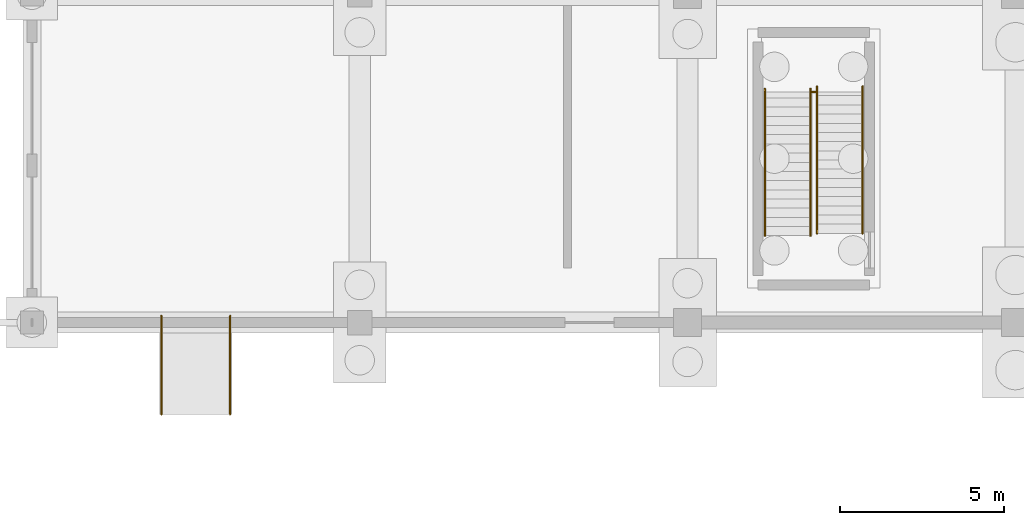
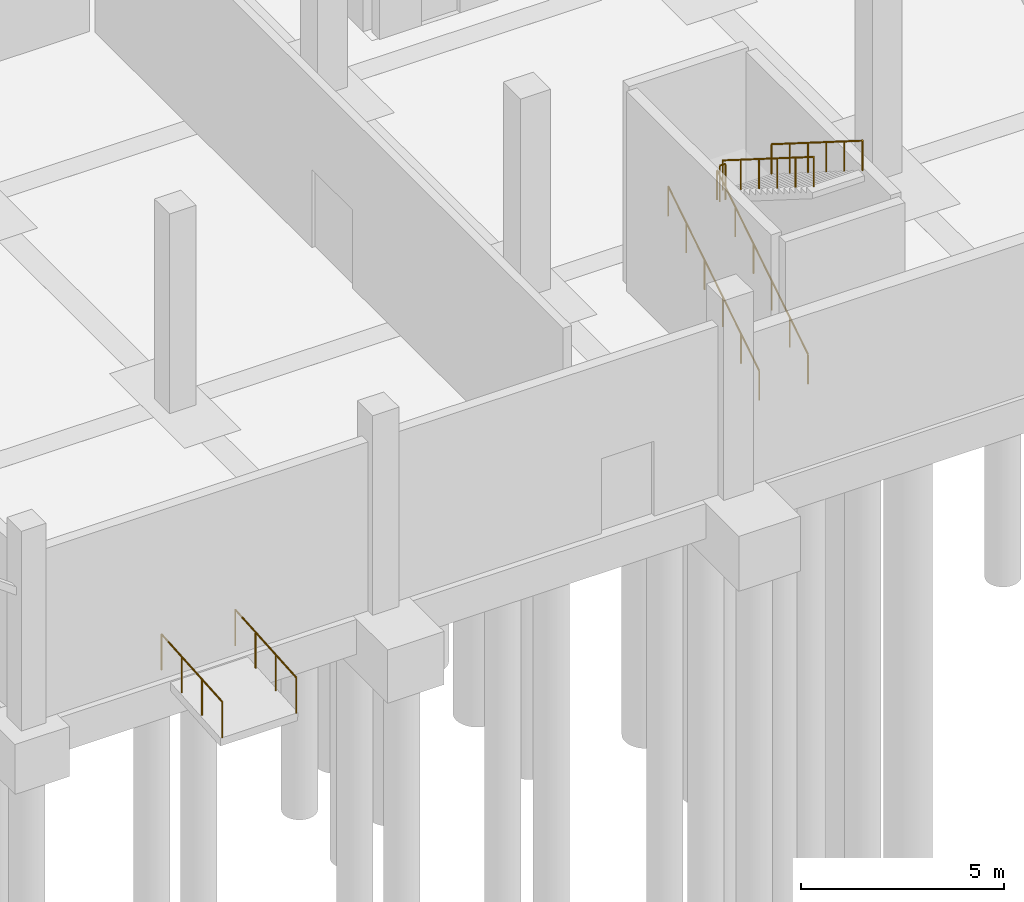
# One storey, part 110 of 140: 7 railings.
"""IFC4 building model written with IfcOpenShell, lengths in metres."""

from ifc_helpers import new_model, si_unit, direction, frame, origin, origin_2d, place, context, subcontext, project, spatial, circle, extrude, material, layer, layer_set, type_object, element, save


model = new_model("IFC4")

# Units and contexts
model_context = context("Model", 3, precision=1e-05, world=origin(), true_north=direction((0.0, 1.0)))
body_context = subcontext(model_context, "Body", "Model", "MODEL_VIEW")
ifc_project = project(units=[si_unit("LENGTHUNIT", "METRE"), si_unit("AREAUNIT", "SQUARE_METRE"), si_unit("VOLUMEUNIT", "CUBIC_METRE"), si_unit("PLANEANGLEUNIT", "RADIAN"), si_unit("MASSUNIT", "GRAM", prefix="KILO")], contexts=[model_context])

# Site, building, storey
site_placement = place(None, origin())
site = spatial("IfcSite", under=ifc_project, at=site_placement, CompositionType="ELEMENT")
building_placement = place(site_placement, origin())
building = spatial("IfcBuilding", under=site, at=building_placement, Name="Corvandel Quay Wholesale Market", CompositionType="ELEMENT")
storey_placement = place(building_placement, origin())
storey = spatial("IfcBuildingStorey", under=building, at=storey_placement, Name="L00", CompositionType="ELEMENT", Elevation=0.0)

# Railings
ifc_material_1 = material(Name="Hot-dip galvanised painted steel", Category="steel")
ifc_layer_1 = layer(ifc_material_1, 0.06005859375)
ifc_layer_set_1 = layer_set([ifc_layer_1], Name="Hot-dip galvanised painted steel")
railing_type_1 = type_object("IfcRailingType", Name="Galvanised Steel Guard Balustrade GR01 1100mm", PredefinedType="BALUSTRADE", material=ifc_layer_set_1)
for number, where, name in (
    (1, (6.050048828125, 7.199951171875, -0.219970703125), "South Dock Apron Accessible Ramp Guard GR-0060"),
    (2, (3.949951171875, 7.199951171875, -0.219970703125), "South Dock Apron Accessible Ramp Guard GR-0061"),
):
    element("IfcRailing", number, at=place(storey_placement, frame(where)), inside=storey, type_object=railing_type_1, Name=name, PredefinedType="BALUSTRADE", context=body_context, shape_type="SweptSolid", body=[
        extrude(circle(Radius=0.02392578125, at=origin_2d()), frame((0.0, 0.0, 1.076171875), z_axis=(0.0, 0.997322618282, 0.073127252529), x_axis=(-1.0, 0.0, 0.0)), (0.0, 0.0, 1.0), 3.008056640625),
        extrude(circle(Radius=0.02099609375, at=origin_2d()), origin(), (0.0, 0.0, 1.0), 1.052001953125),
        extrude(circle(Radius=0.02099609375, at=origin_2d()), frame((0.0, 1.0, 0.0732421875)), (0.0, 0.0, 1.0), 1.052001953125),
        extrude(circle(Radius=0.02099609375, at=origin_2d()), frame((0.0, 2.0, 0.146728515625)), (0.0, 0.0, 1.0), 1.052001953125),
        extrude(circle(Radius=0.02099609375, at=origin_2d()), frame((0.0, 3.0, 0.219970703125)), (0.0, 0.0, 1.0), 1.052001953125),
    ])
ifc_material_2 = material(Name="Painted galvanised tubular steel", Category="steel")
ifc_layer_2 = layer(ifc_material_2, 0.054931640625)
ifc_layer_set_2 = layer_set([ifc_layer_2], Name="Painted galvanised tubular steel")
railing_type_2 = type_object("IfcRailingType", Name="Stairwell Inner Guard Railing GR02 1100mm", PredefinedType="GUARDRAIL", material=ifc_layer_set_2)
railing_placement = place(storey_placement, frame((23.77001953125, 17.030029296875, 3.0)))
element("IfcRailing", 3, at=railing_placement, inside=storey, type_object=railing_type_2, Name="Stair Landing Well Guard 0134", PredefinedType="GUARDRAIL", context=body_context, shape_type="SweptSolid", body=[
    extrude(circle(Radius=0.02392578125, at=origin_2d()), frame((0.0, 0.0, 1.076171875), z_axis=(1.0, 0.0, 0.0), x_axis=(0.0, 1.0, 0.0)), (0.0, 0.0, 1.0), 0.159912109375),
    extrude(circle(Radius=0.02099609375, at=origin_2d()), origin(), (0.0, 0.0, 1.0), 1.052001953125),
    extrude(circle(Radius=0.02099609375, at=origin_2d()), frame((0.159912109375, 0.0, 0.0)), (0.0, 0.0, 1.0), 1.052001953125),
])
ifc_material_3 = material(Name="Brushed austenitic stainless steel Grade 316", Category="steel")
ifc_layer_3 = layer(ifc_material_3, 0.048095703125)
ifc_layer_set_3 = layer_set([ifc_layer_3], Name="Brushed austenitic stainless steel Grade 316")
railing_type_3 = type_object("IfcRailingType", Name="Tubular Stainless Stair Handrail HR01 915mm", PredefinedType="HANDRAIL", material=ifc_layer_set_3)
for number, where, name in (
    (4, (22.360107421875, 12.64990234375, 0.176513671875), "Stair Handrail 0130"),
    (5, (23.75, 12.64990234375, 0.176513671875), "Stair Handrail 0131"),
):
    element("IfcRailing", number, at=place(storey_placement, frame(where)), inside=storey, type_object=railing_type_3, Name=name, PredefinedType="HANDRAIL", context=body_context, shape_type="SweptSolid", body=[
        extrude(circle(Radius=0.02392578125, at=origin_2d()), frame((0.0, 0.0, 0.89111328125), z_axis=(0.0, 0.845997938375, 0.533186166611), x_axis=(-1.0, 0.0, 0.0)), (0.0, 0.0, 1.0), 5.29541015625),
        extrude(circle(Radius=0.02099609375, at=origin_2d()), origin(), (0.0, 0.0, 1.0), 0.866943359375),
        extrude(circle(Radius=0.02099609375, at=origin_2d()), frame((0.0, 0.89599609375, 0.564697265625)), (0.0, 0.0, 1.0), 0.866943359375),
        extrude(circle(Radius=0.02099609375, at=origin_2d()), frame((0.0, 1.7919921875, 1.12939453125)), (0.0, 0.0, 1.0), 0.866943359375),
        extrude(circle(Radius=0.02099609375, at=origin_2d()), frame((0.0, 2.68798828125, 1.694091796875)), (0.0, 0.0, 1.0), 0.866943359375),
        extrude(circle(Radius=0.02099609375, at=origin_2d()), frame((0.0, 3.583984375, 2.2587890625)), (0.0, 0.0, 1.0), 0.866943359375),
        extrude(circle(Radius=0.02099609375, at=origin_2d()), frame((0.0, 4.47998046875, 2.823486328125)), (0.0, 0.0, 1.0), 0.866943359375),
    ])
for number, where, name in (
    (6, (23.949951171875, 17.199951171875, 3.176513671875), "Stair Handrail 0132"),
    (7, (25.340087890625, 17.199951171875, 3.176513671875), "Stair Handrail 0133"),
):
    element("IfcRailing", number, at=place(storey_placement, frame(where)), inside=storey, type_object=railing_type_3, Name=name, PredefinedType="HANDRAIL", context=body_context, shape_type="SweptSolid", body=[
        extrude(circle(Radius=0.02392578125, at=origin_2d()), frame((0.0, 0.0, 0.89111328125), z_axis=(0.0, -0.845997938375, 0.533186166611), x_axis=(1.0, 0.0, 0.0)), (0.0, 0.0, 1.0), 5.29541015625),
        extrude(circle(Radius=0.02099609375, at=origin_2d()), origin(), (0.0, 0.0, 1.0), 0.866943359375),
        extrude(circle(Radius=0.02099609375, at=origin_2d()), frame((0.0, -0.89599609375, 0.564697265625)), (0.0, 0.0, 1.0), 0.866943359375),
        extrude(circle(Radius=0.02099609375, at=origin_2d()), frame((0.0, -1.7919921875, 1.12939453125)), (0.0, 0.0, 1.0), 0.866943359375),
        extrude(circle(Radius=0.02099609375, at=origin_2d()), frame((0.0, -2.68798828125, 1.694091796875)), (0.0, 0.0, 1.0), 0.866943359375),
        extrude(circle(Radius=0.02099609375, at=origin_2d()), frame((0.0, -3.583984375, 2.2587890625)), (0.0, 0.0, 1.0), 0.866943359375),
        extrude(circle(Radius=0.02099609375, at=origin_2d()), frame((0.0, -4.47998046875, 2.823486328125)), (0.0, 0.0, 1.0), 0.866943359375),
    ])

save(model, "model.ifc")
